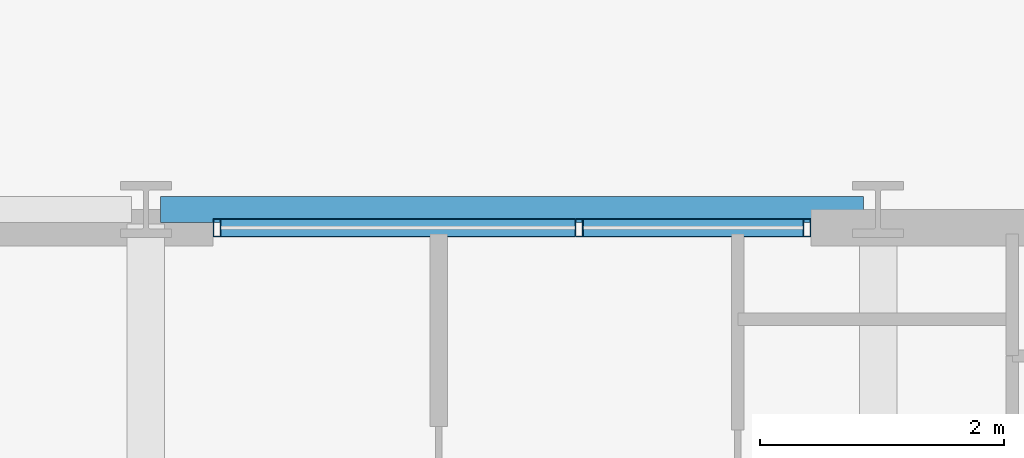
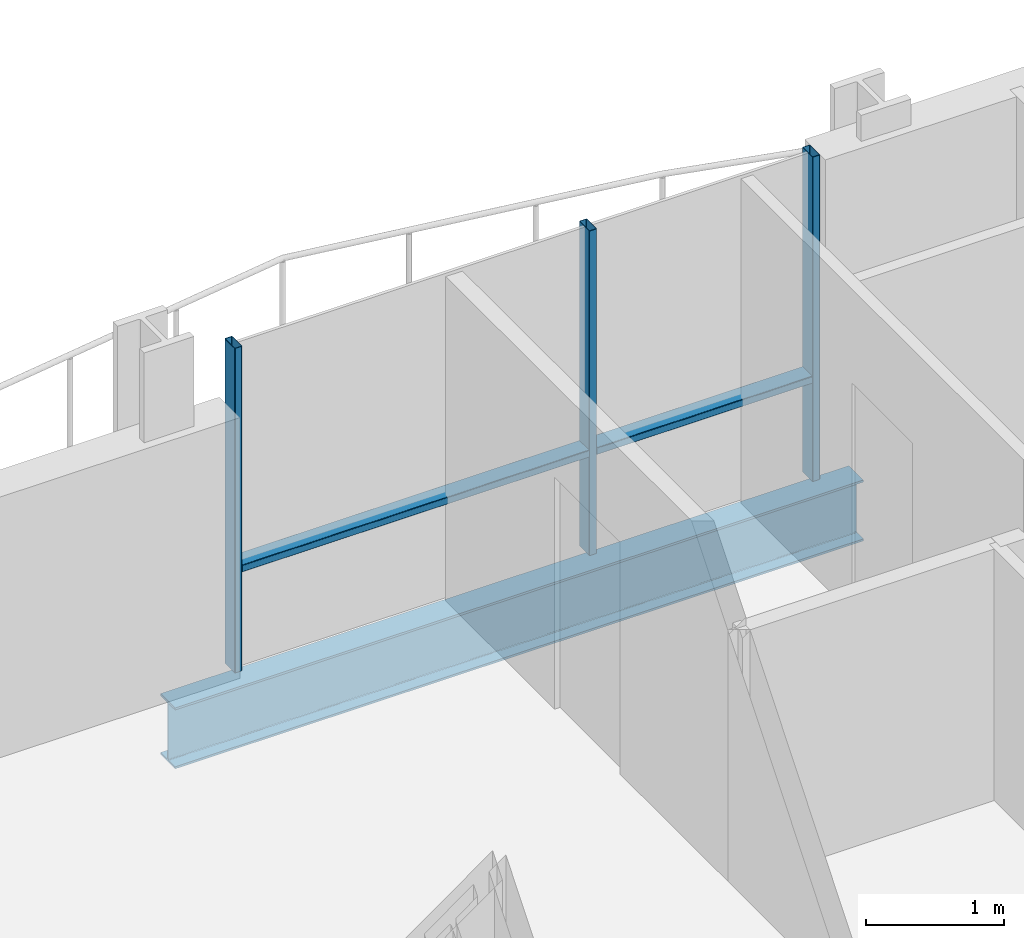
# One storey, part 24 of 40: 5 members, 1 beam, 1 element without a shape of its own.
"""IFC4 building model written with IfcOpenShell, lengths in metres."""

import ifcopenshell
import ifcopenshell.guid

model = None  # the IFC model being written
_history = None  # IfcOwnerHistory: only IFC2X3 demands one
_inside = {}  # id of a spatial element -> (the spatial element, [elements in it])
_under = {}  # id of a project, library or spatial element -> (it, [spatial elements below it])
_declared = {}  # id of a project -> (the project, [libraries it declares])
_typed = {}  # id of a type object -> (the type object, [elements of that type])
_made_of = {}  # id of a material, layer set ... -> (it, [elements and type objects made of it])


def new_model(schema):
    """Start an empty IFC model of exactly this schema.

    Asked for "IFC4X3", IfcOpenShell would pick the latest addendum, in which some entities
    have other attributes; the version numbers below select the first issue.
    IFC2X3 requires an IfcOwnerHistory on every rooted entity: one is made here for all.
    """
    global model, _history
    if schema == "IFC4X3":
        model = ifcopenshell.file(schema_version=(4, 3, 0, 0))
    else:
        model = ifcopenshell.file(schema=schema)
    _inside.clear()
    _under.clear()
    _declared.clear()
    _typed.clear()
    _made_of.clear()
    _history = None
    if model.schema == "IFC2X3":
        org = make("IfcOrganization", Name="unknown")
        user = make(
            "IfcPersonAndOrganization",
            ThePerson=make("IfcPerson", FamilyName="unknown"),
            TheOrganization=org,
        )
        app = make(
            "IfcApplication",
            ApplicationDeveloper=org,
            Version="unknown",
            ApplicationFullName="unknown",
            ApplicationIdentifier="unknown",
        )
        _history = make(
            "IfcOwnerHistory",
            OwningUser=user,
            OwningApplication=app,
            ChangeAction="ADDED",
            CreationDate=0,
        )
    return model


def make(cls, **values):
    """One entity of the class cls with the attributes given. An attribute that is None is left unset."""
    return model.create_entity(
        cls, **{name: value for name, value in values.items() if value is not None}
    )


def rooted(cls, **values):
    """An entity with a GlobalId (a new one), such as an element, a storey or a relation."""
    return make(cls, GlobalId=ifcopenshell.guid.new(), OwnerHistory=_history, **values)


def si_unit(unit_type, name, prefix=None):
    """IfcSIUnit, for example si_unit("LENGTHUNIT", "METRE", prefix="MILLI")."""
    return make("IfcSIUnit", UnitType=unit_type, Prefix=prefix, Name=name)


def assignment(units):
    """IfcUnitAssignment: the units of a project."""
    return None if units is None else make("IfcUnitAssignment", Units=units)


def point(xyz):
    """IfcCartesianPoint."""
    return None if xyz is None else make("IfcCartesianPoint", Coordinates=xyz)


def direction(xyz):
    """IfcDirection."""
    return None if xyz is None else make("IfcDirection", DirectionRatios=xyz)


def frame(location, z_axis=None, x_axis=None):
    """IfcAxis2Placement3D, a coordinate frame: its origin and axes. An axis left out is left unset."""
    return make(
        "IfcAxis2Placement3D",
        Location=point(location),
        Axis=direction(z_axis),
        RefDirection=direction(x_axis),
    )


def frame_2d(location, x_axis=None):
    """IfcAxis2Placement2D, a coordinate frame in the plane: its origin and x axis."""
    return make(
        "IfcAxis2Placement2D", Location=point(location), RefDirection=direction(x_axis)
    )


def origin():
    """The frame at (0, 0, 0) with its axes left unset."""
    return frame((0.0, 0.0, 0.0))


def origin_2d():
    """The frame at (0, 0) in the plane with its x axis left unset."""
    return frame_2d((0.0, 0.0))


def place(relative_to, where):
    """IfcLocalPlacement: puts the frame where relative to a parent placement (None: the world)."""
    return make(
        "IfcLocalPlacement", PlacementRelTo=relative_to, RelativePlacement=where
    )


def context(
    kind, dimensions, precision=None, world=None, true_north=None, identifier=None
):
    """IfcGeometricRepresentationContext, for example the 3D "Model" context."""
    return make(
        "IfcGeometricRepresentationContext",
        ContextIdentifier=identifier,
        ContextType=kind,
        CoordinateSpaceDimension=dimensions,
        Precision=precision,
        WorldCoordinateSystem=world,
        TrueNorth=true_north,
    )


def subcontext(parent, identifier, kind, view, scale=None):
    """IfcGeometricRepresentationSubContext, for example "Body" below "Model"."""
    return make(
        "IfcGeometricRepresentationSubContext",
        ContextIdentifier=identifier,
        ContextType=kind,
        ParentContext=parent,
        TargetScale=scale,
        TargetView=view,
    )


def project(units=None, contexts=None):
    """IfcProject with its units and contexts."""
    return rooted(
        "IfcProject",
        Name="project",
        RepresentationContexts=contexts,
        UnitsInContext=assignment(units),
    )


def spatial(cls, under=None, at=None, **own):
    """A site, building, storey or space (cls), placed at a placement, below another one or the project."""
    s = rooted(cls, ObjectPlacement=at, **own)
    if under is not None:
        _under.setdefault(under.id(), (under, []))[1].append(s)
    return s


def profile(cls, at=None, kind="AREA", **sizes):
    """A parametric profile (cls). Its sizes go by their IFC names, for example OverallWidth=200.0."""
    return make(cls, ProfileType=kind, Position=at, **sizes)


def hollow_rectangle(**sizes):
    """IfcRectangleHollowProfileDef."""
    return profile("IfcRectangleHollowProfileDef", **sizes)


def i_section(**sizes):
    """IfcIShapeProfileDef."""
    return profile("IfcIShapeProfileDef", **sizes)


def extrude(swept, where, along, depth):
    """IfcExtrudedAreaSolid: the profile swept, set in the frame where, extruded along a direction by depth."""
    return make(
        "IfcExtrudedAreaSolid",
        SweptArea=swept,
        Position=where,
        ExtrudedDirection=direction(along),
        Depth=depth,
    )


def shape(context_of_items, identifier, shape_type, items):
    """IfcShapeRepresentation: the items that make up one representation, for example the "Body"."""
    return make(
        "IfcShapeRepresentation",
        ContextOfItems=context_of_items,
        RepresentationIdentifier=identifier,
        RepresentationType=shape_type,
        Items=items,
    )


def material(Name=None, Category=None):
    """IfcMaterial."""
    return make("IfcMaterial", Name=Name, Category=Category)


def layer(
    of_material, thickness, ventilated=None, Name=None, Category=None, Priority=None
):
    """IfcMaterialLayer: one layer of a wall or slab, of a material (None: an air gap)."""
    return make(
        "IfcMaterialLayer",
        Material=of_material,
        LayerThickness=thickness,
        IsVentilated=ventilated,
        Name=Name,
        Category=Category,
        Priority=Priority,
    )


def layer_set(layers, Name=None):
    """IfcMaterialLayerSet."""
    return make("IfcMaterialLayerSet", MaterialLayers=layers, LayerSetName=Name)


def material_profile(
    of_material, cross_section, Name=None, Category=None, Priority=None
):
    """IfcMaterialProfile: a cross section and its material."""
    return make(
        "IfcMaterialProfile",
        Name=Name,
        Material=of_material,
        Profile=cross_section,
        Priority=Priority,
        Category=Category,
    )


def profile_set(profiles, Name=None, composite=None):
    """IfcMaterialProfileSet."""
    return make(
        "IfcMaterialProfileSet",
        Name=Name,
        MaterialProfiles=profiles,
        CompositeProfile=composite,
    )


def made_of(thing, what):
    """Note that an element or type object is made of a material, layer set ...; save() writes the relation."""
    if what is not None:
        _made_of.setdefault(what.id(), (what, []))[1].append(thing)
    return thing


def type_object(cls, material=None, **own):
    """A type object (cls), such as IfcWallType, which elements share."""
    return made_of(rooted(cls, **own), material)


def element(
    cls,
    number,
    at=None,
    inside=None,
    cuts=None,
    type_object=None,
    material=None,
    context=None,
    identifier="Body",
    shape_type=None,
    held_by="IfcProductDefinitionShape",
    body=None,
    shapes=None,
    **own,
):
    """One element of the class cls, such as IfcWall. Its Tag is "e" and its number.

    at: its placement. inside: the storey or other place that contains it. cuts: it is an
    opening in that element (IfcRelVoidsElement). A single representation is given by context,
    identifier, shape_type and body (its items); several are given by shapes. held_by: the class
    of the entity that holds the representations. save() writes the other relations.
    """
    e = rooted(cls, Tag="e%d" % number, ObjectPlacement=at, **own)
    if body is not None:
        shapes = [shape(context, identifier, shape_type, body)]
    if shapes is not None:
        e.Representation = make(held_by, Representations=shapes)
    if inside is not None:
        _inside.setdefault(inside.id(), (inside, []))[1].append(e)
    if cuts is not None:
        rooted(
            "IfcRelVoidsElement", RelatingBuildingElement=cuts, RelatedOpeningElement=e
        )
    if type_object is not None:
        _typed.setdefault(type_object.id(), (type_object, []))[1].append(e)
    return made_of(e, material)


def aggregate(whole, parts):
    """IfcRelAggregates: a whole, such as a stair, and the parts it consists of."""
    return rooted("IfcRelAggregates", RelatingObject=whole, RelatedObjects=parts)


def save(model, path):
    """Write the relations noted so far, then the file.

    IfcRelAggregates (storeys below a building ...), IfcRelContainedInSpatialStructure (elements
    in a storey), IfcRelDefinesByType, IfcRelAssociatesMaterial and IfcRelDeclares: one each for
    every whole, place, type object, material and project.
    """
    for whole, parts in _under.values():
        aggregate(whole, parts)
    for where, things in _inside.values():
        rooted(
            "IfcRelContainedInSpatialStructure",
            RelatedElements=things,
            RelatingStructure=where,
        )
    for kind, things in _typed.values():
        rooted("IfcRelDefinesByType", RelatedObjects=things, RelatingType=kind)
    for what, things in _made_of.values():
        rooted("IfcRelAssociatesMaterial", RelatedObjects=things, RelatingMaterial=what)
    for by, libraries in _declared.values():
        rooted("IfcRelDeclares", RelatingContext=by, RelatedDefinitions=libraries)
    model.write(path)


model = new_model("IFC4")

# Units and contexts
model_context = context("Model", 3, precision=1e-05, world=origin(), true_north=direction((0.0, 1.0)))
body_context = subcontext(model_context, "Body", "Model", "MODEL_VIEW")
ifc_project = project(units=[si_unit("LENGTHUNIT", "METRE"), si_unit("AREAUNIT", "SQUARE_METRE"), si_unit("VOLUMEUNIT", "CUBIC_METRE"), si_unit("PLANEANGLEUNIT", "RADIAN"), si_unit("MASSUNIT", "GRAM", prefix="KILO")], contexts=[model_context])

# Site, building, storey
site_placement = place(None, origin())
site = spatial("IfcSite", under=ifc_project, at=site_placement, CompositionType="ELEMENT")
building_placement = place(site_placement, origin())
building = spatial("IfcBuilding", under=site, at=building_placement, Name="Brevholm Reach", CompositionType="ELEMENT")
storey_placement = place(building_placement, frame((0.0, 0.0, 80.699951171875)))
storey = spatial("IfcBuildingStorey", under=building, at=storey_placement, Name="L23", CompositionType="ELEMENT", Elevation=80.699951171875)

# Beam
ifc_material_1 = material(Name="Structural Steel S355J2", Category="steel")
ifc_material_profile_1 = material_profile(ifc_material_1, i_section(OverallWidth=0.210693359375, OverallDepth=0.53955078125, WebThickness=0.01171875, FlangeThickness=0.018798828125, FilletRadius=0.0126953125, at=origin_2d()), Name="UKB 533x210x109")
ifc_profile_set_1 = profile_set([ifc_material_profile_1], Name="Structural Steel S355J2")
beam_type = type_object("IfcBeamType", Name="BM-SP539", PredefinedType="SPANDREL", material=ifc_profile_set_1)
beam_placement = place(storey_placement, frame((48.1201171875, 31.0, -0.499755859375), z_axis=(1.0, 0.0, 0.0), x_axis=(0.0, 1.0, 0.0)))
element("IfcBeam", 1, at=beam_placement, inside=storey, type_object=beam_type, Name="L23 SP-01B Framing Beam", PredefinedType="SPANDREL", context=body_context, shape_type="SweptSolid", body=[
    extrude(i_section(OverallWidth=0.210693359375, OverallDepth=0.53955078125, WebThickness=0.01171875, FlangeThickness=0.018798828125, FilletRadius=0.0126953125, at=origin_2d()), origin(), (0.0, 0.0, 1.0), 5.759765625),
])

# Curtain wall, members
ifc_material_2 = material(Name="Dark Anodised Aluminium 6063-T6 and Solar-Control Glass", Category="aluminium")
ifc_layer = layer(ifc_material_2, 0.14990234375)
ifc_layer_set = layer_set([ifc_layer], Name="Dark Anodised Aluminium 6063-T6 and Solar-Control Glass")
curtain_wall_type = type_object("IfcCurtainWallType", Name="CW-01", PredefinedType="NOTDEFINED", material=ifc_layer_set)
curtain_wall_placement = place(storey_placement, origin())
curtain_wall = element("IfcCurtainWall", 2, at=curtain_wall_placement, inside=storey, type_object=curtain_wall_type, Name="L23 Curtain Wall CW-01", PredefinedType="NOTDEFINED")
ifc_material_3 = material(Name="Dark Anodised Aluminium 6063-T6", Category="aluminium")
ifc_material_profile_2 = material_profile(ifc_material_3, hollow_rectangle(XDim=0.06494140625, YDim=0.14990234375, WallThickness=0.0048828125, InnerFilletRadius=0.0048828125, OuterFilletRadius=0.010009765625, at=origin_2d()), Name="RHS 150x65x5")
ifc_profile_set_2 = profile_set([ifc_material_profile_2], Name="Dark Anodised Aluminium 6063-T6")
member_type_1 = type_object("IfcMemberType", Name="CWM-150", PredefinedType="MULLION", material=ifc_profile_set_2)
member_1_placement = place(storey_placement, frame((48.58251953125, 30.85009765625, 0.0), z_axis=(0.0, 0.0, 1.0), x_axis=(1.0, 0.0, 0.0)))
member_1 = element("IfcMember", 3, at=member_1_placement, type_object=member_type_1, Name="CM-150 Mullion 1", PredefinedType="MULLION", context=body_context, shape_type="SweptSolid", body=[
    extrude(hollow_rectangle(XDim=0.06494140625, YDim=0.14990234375, WallThickness=0.0048828125, InnerFilletRadius=0.0048828125, OuterFilletRadius=0.010009765625, at=origin_2d()), origin(), (0.0, 0.0, 1.0), 2.8701171875),
])
member_2_placement = place(storey_placement, frame((51.550048828125, 30.85009765625, 0.0), z_axis=(0.0, 0.0, 1.0), x_axis=(1.0, 0.0, 0.0)))
member_2 = element("IfcMember", 4, at=member_2_placement, type_object=member_type_1, Name="CM-150 Mullion 2", PredefinedType="MULLION", context=body_context, shape_type="SweptSolid", body=[
    extrude(hollow_rectangle(XDim=0.06494140625, YDim=0.14990234375, WallThickness=0.0048828125, InnerFilletRadius=0.0048828125, OuterFilletRadius=0.010009765625, at=origin_2d()), origin(), (0.0, 0.0, 1.0), 2.8701171875),
])
member_3_placement = place(storey_placement, frame((53.41748046875, 30.85009765625, 0.0), z_axis=(0.0, 0.0, 1.0), x_axis=(1.0, 0.0, 0.0)))
member_3 = element("IfcMember", 5, at=member_3_placement, type_object=member_type_1, Name="CM-150 Mullion 3", PredefinedType="MULLION", context=body_context, shape_type="SweptSolid", body=[
    extrude(hollow_rectangle(XDim=0.06494140625, YDim=0.14990234375, WallThickness=0.0048828125, InnerFilletRadius=0.0048828125, OuterFilletRadius=0.010009765625, at=origin_2d()), origin(), (0.0, 0.0, 1.0), 2.8701171875),
])
ifc_material_4 = material(Name="Dark Anodised Aluminium 6063-T6", Category="aluminium")
ifc_material_profile_3 = material_profile(ifc_material_4, hollow_rectangle(XDim=0.06494140625, YDim=0.14990234375, WallThickness=0.0048828125, InnerFilletRadius=0.0048828125, OuterFilletRadius=0.010009765625, at=origin_2d()), Name="RHS 150x65x5")
ifc_profile_set_3 = profile_set([ifc_material_profile_3], Name="Dark Anodised Aluminium 6063-T6")
member_type_2 = type_object("IfcMemberType", Name="CWT-150", PredefinedType="NOTDEFINED", material=ifc_profile_set_3)
member_4_placement = place(storey_placement, frame((48.614990234375, 30.85009765625, 0.900146484375), z_axis=(1.0, 0.0, 0.0), x_axis=(0.0, 0.0, 1.0)))
member_4 = element("IfcMember", 6, at=member_4_placement, type_object=member_type_2, Name="CT-150 Transom 1.1", ObjectType="TRANSOM", PredefinedType="USERDEFINED", context=body_context, shape_type="SweptSolid", body=[
    extrude(hollow_rectangle(XDim=0.06494140625, YDim=0.14990234375, WallThickness=0.0048828125, InnerFilletRadius=0.0048828125, OuterFilletRadius=0.010009765625, at=origin_2d()), origin(), (0.0, 0.0, 1.0), 2.902587890625),
])
member_5_placement = place(storey_placement, frame((51.58251953125, 30.85009765625, 0.900146484375), z_axis=(1.0, 0.0, 0.0), x_axis=(0.0, 0.0, 1.0)))
member_5 = element("IfcMember", 7, at=member_5_placement, type_object=member_type_2, Name="CT-150 Transom 2.1", ObjectType="TRANSOM", PredefinedType="USERDEFINED", context=body_context, shape_type="SweptSolid", body=[
    extrude(hollow_rectangle(XDim=0.06494140625, YDim=0.14990234375, WallThickness=0.0048828125, InnerFilletRadius=0.0048828125, OuterFilletRadius=0.010009765625, at=origin_2d()), origin(), (0.0, 0.0, 1.0), 1.802490234375),
])
aggregate(curtain_wall, [member_1, member_2, member_3, member_4, member_5])

save(model, "model.ifc")
